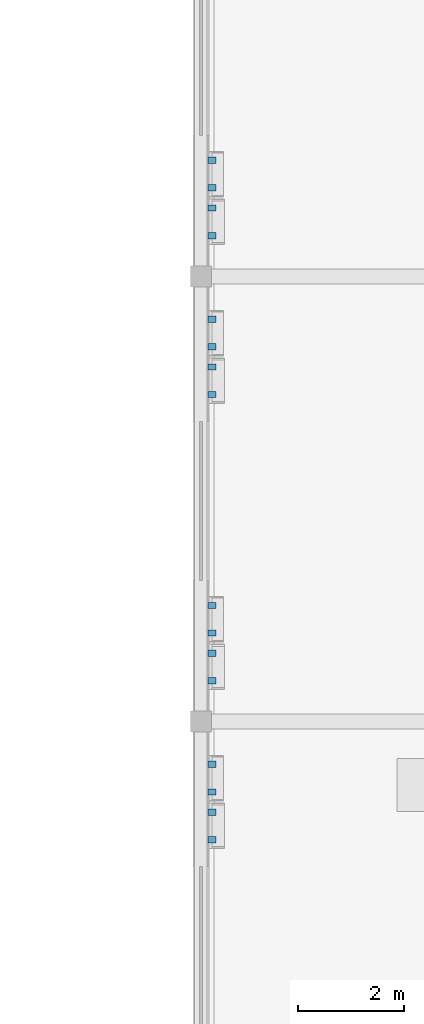
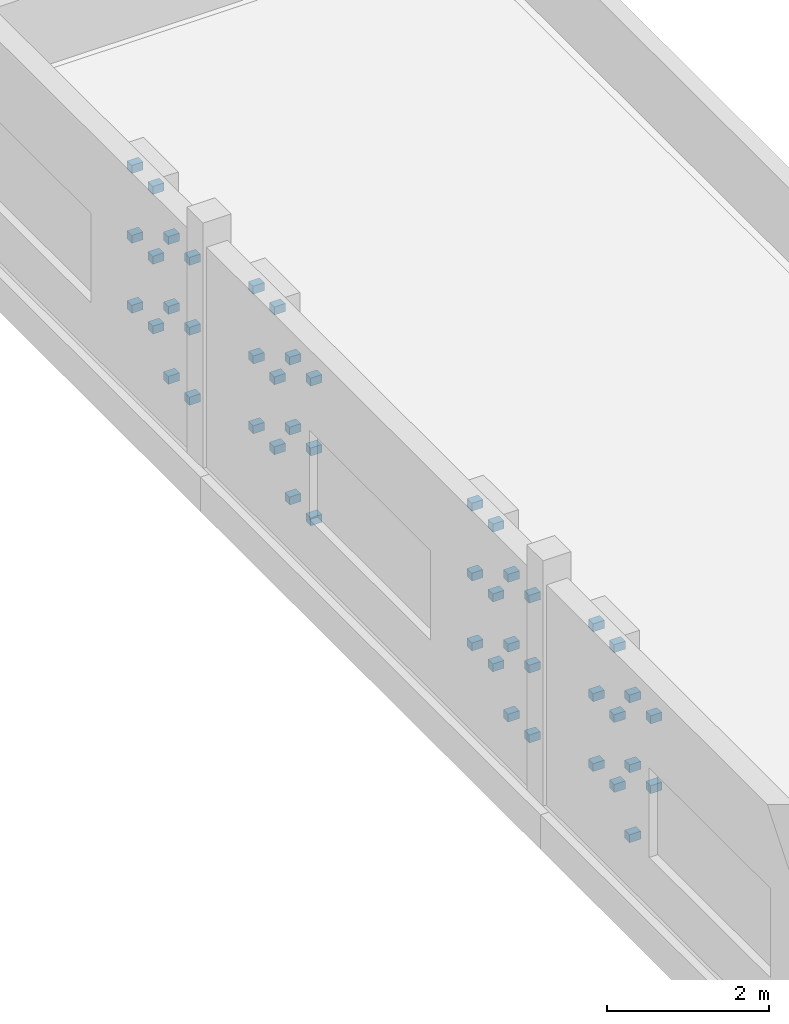
# One storey, part 49 of 57: 47 discrete accessories.
"""IFC4 building model written with IfcOpenShell, lengths in metres."""

import ifcopenshell
import ifcopenshell.guid

model = None  # the IFC model being written
_history = None  # IfcOwnerHistory: only IFC2X3 demands one
_inside = {}  # id of a spatial element -> (the spatial element, [elements in it])
_under = {}  # id of a project, library or spatial element -> (it, [spatial elements below it])
_declared = {}  # id of a project -> (the project, [libraries it declares])
_typed = {}  # id of a type object -> (the type object, [elements of that type])
_made_of = {}  # id of a material, layer set ... -> (it, [elements and type objects made of it])


def new_model(schema):
    """Start an empty IFC model of exactly this schema.

    Asked for "IFC4X3", IfcOpenShell would pick the latest addendum, in which some entities
    have other attributes; the version numbers below select the first issue.
    IFC2X3 requires an IfcOwnerHistory on every rooted entity: one is made here for all.
    """
    global model, _history
    if schema == "IFC4X3":
        model = ifcopenshell.file(schema_version=(4, 3, 0, 0))
    else:
        model = ifcopenshell.file(schema=schema)
    _inside.clear()
    _under.clear()
    _declared.clear()
    _typed.clear()
    _made_of.clear()
    _history = None
    if model.schema == "IFC2X3":
        org = make("IfcOrganization", Name="unknown")
        user = make(
            "IfcPersonAndOrganization",
            ThePerson=make("IfcPerson", FamilyName="unknown"),
            TheOrganization=org,
        )
        app = make(
            "IfcApplication",
            ApplicationDeveloper=org,
            Version="unknown",
            ApplicationFullName="unknown",
            ApplicationIdentifier="unknown",
        )
        _history = make(
            "IfcOwnerHistory",
            OwningUser=user,
            OwningApplication=app,
            ChangeAction="ADDED",
            CreationDate=0,
        )
    return model


def make(cls, **values):
    """One entity of the class cls with the attributes given. An attribute that is None is left unset."""
    return model.create_entity(
        cls, **{name: value for name, value in values.items() if value is not None}
    )


def rooted(cls, **values):
    """An entity with a GlobalId (a new one), such as an element, a storey or a relation."""
    return make(cls, GlobalId=ifcopenshell.guid.new(), OwnerHistory=_history, **values)


def si_unit(unit_type, name, prefix=None):
    """IfcSIUnit, for example si_unit("LENGTHUNIT", "METRE", prefix="MILLI")."""
    return make("IfcSIUnit", UnitType=unit_type, Prefix=prefix, Name=name)


def assignment(units):
    """IfcUnitAssignment: the units of a project."""
    return None if units is None else make("IfcUnitAssignment", Units=units)


def point(xyz):
    """IfcCartesianPoint."""
    return None if xyz is None else make("IfcCartesianPoint", Coordinates=xyz)


def direction(xyz):
    """IfcDirection."""
    return None if xyz is None else make("IfcDirection", DirectionRatios=xyz)


def frame(location, z_axis=None, x_axis=None):
    """IfcAxis2Placement3D, a coordinate frame: its origin and axes. An axis left out is left unset."""
    return make(
        "IfcAxis2Placement3D",
        Location=point(location),
        Axis=direction(z_axis),
        RefDirection=direction(x_axis),
    )


def frame_2d(location, x_axis=None):
    """IfcAxis2Placement2D, a coordinate frame in the plane: its origin and x axis."""
    return make(
        "IfcAxis2Placement2D", Location=point(location), RefDirection=direction(x_axis)
    )


def origin():
    """The frame at (0, 0, 0) with its axes left unset."""
    return frame((0.0, 0.0, 0.0))


def origin_2d():
    """The frame at (0, 0) in the plane with its x axis left unset."""
    return frame_2d((0.0, 0.0))


def place(relative_to, where):
    """IfcLocalPlacement: puts the frame where relative to a parent placement (None: the world)."""
    return make(
        "IfcLocalPlacement", PlacementRelTo=relative_to, RelativePlacement=where
    )


def context(
    kind, dimensions, precision=None, world=None, true_north=None, identifier=None
):
    """IfcGeometricRepresentationContext, for example the 3D "Model" context."""
    return make(
        "IfcGeometricRepresentationContext",
        ContextIdentifier=identifier,
        ContextType=kind,
        CoordinateSpaceDimension=dimensions,
        Precision=precision,
        WorldCoordinateSystem=world,
        TrueNorth=true_north,
    )


def subcontext(parent, identifier, kind, view, scale=None):
    """IfcGeometricRepresentationSubContext, for example "Body" below "Model"."""
    return make(
        "IfcGeometricRepresentationSubContext",
        ContextIdentifier=identifier,
        ContextType=kind,
        ParentContext=parent,
        TargetScale=scale,
        TargetView=view,
    )


def project(units=None, contexts=None):
    """IfcProject with its units and contexts."""
    return rooted(
        "IfcProject",
        Name="project",
        RepresentationContexts=contexts,
        UnitsInContext=assignment(units),
    )


def spatial(cls, under=None, at=None, **own):
    """A site, building, storey or space (cls), placed at a placement, below another one or the project."""
    s = rooted(cls, ObjectPlacement=at, **own)
    if under is not None:
        _under.setdefault(under.id(), (under, []))[1].append(s)
    return s


def profile(cls, at=None, kind="AREA", **sizes):
    """A parametric profile (cls). Its sizes go by their IFC names, for example OverallWidth=200.0."""
    return make(cls, ProfileType=kind, Position=at, **sizes)


def rectangle(**sizes):
    """IfcRectangleProfileDef."""
    return profile("IfcRectangleProfileDef", **sizes)


def extrude(swept, where, along, depth):
    """IfcExtrudedAreaSolid: the profile swept, set in the frame where, extruded along a direction by depth."""
    return make(
        "IfcExtrudedAreaSolid",
        SweptArea=swept,
        Position=where,
        ExtrudedDirection=direction(along),
        Depth=depth,
    )


def shape(context_of_items, identifier, shape_type, items):
    """IfcShapeRepresentation: the items that make up one representation, for example the "Body"."""
    return make(
        "IfcShapeRepresentation",
        ContextOfItems=context_of_items,
        RepresentationIdentifier=identifier,
        RepresentationType=shape_type,
        Items=items,
    )


def material(Name=None, Category=None):
    """IfcMaterial."""
    return make("IfcMaterial", Name=Name, Category=Category)


def made_of(thing, what):
    """Note that an element or type object is made of a material, layer set ...; save() writes the relation."""
    if what is not None:
        _made_of.setdefault(what.id(), (what, []))[1].append(thing)
    return thing


def type_object(cls, material=None, **own):
    """A type object (cls), such as IfcWallType, which elements share."""
    return made_of(rooted(cls, **own), material)


def element(
    cls,
    number,
    at=None,
    inside=None,
    cuts=None,
    type_object=None,
    material=None,
    context=None,
    identifier="Body",
    shape_type=None,
    held_by="IfcProductDefinitionShape",
    body=None,
    shapes=None,
    **own,
):
    """One element of the class cls, such as IfcWall. Its Tag is "e" and its number.

    at: its placement. inside: the storey or other place that contains it. cuts: it is an
    opening in that element (IfcRelVoidsElement). A single representation is given by context,
    identifier, shape_type and body (its items); several are given by shapes. held_by: the class
    of the entity that holds the representations. save() writes the other relations.
    """
    e = rooted(cls, Tag="e%d" % number, ObjectPlacement=at, **own)
    if body is not None:
        shapes = [shape(context, identifier, shape_type, body)]
    if shapes is not None:
        e.Representation = make(held_by, Representations=shapes)
    if inside is not None:
        _inside.setdefault(inside.id(), (inside, []))[1].append(e)
    if cuts is not None:
        rooted(
            "IfcRelVoidsElement", RelatingBuildingElement=cuts, RelatedOpeningElement=e
        )
    if type_object is not None:
        _typed.setdefault(type_object.id(), (type_object, []))[1].append(e)
    return made_of(e, material)


def aggregate(whole, parts):
    """IfcRelAggregates: a whole, such as a stair, and the parts it consists of."""
    return rooted("IfcRelAggregates", RelatingObject=whole, RelatedObjects=parts)


def save(model, path):
    """Write the relations noted so far, then the file.

    IfcRelAggregates (storeys below a building ...), IfcRelContainedInSpatialStructure (elements
    in a storey), IfcRelDefinesByType, IfcRelAssociatesMaterial and IfcRelDeclares: one each for
    every whole, place, type object, material and project.
    """
    for whole, parts in _under.values():
        aggregate(whole, parts)
    for where, things in _inside.values():
        rooted(
            "IfcRelContainedInSpatialStructure",
            RelatedElements=things,
            RelatingStructure=where,
        )
    for kind, things in _typed.values():
        rooted("IfcRelDefinesByType", RelatedObjects=things, RelatingType=kind)
    for what, things in _made_of.values():
        rooted("IfcRelAssociatesMaterial", RelatedObjects=things, RelatingMaterial=what)
    for by, libraries in _declared.values():
        rooted("IfcRelDeclares", RelatingContext=by, RelatedDefinitions=libraries)
    model.write(path)


model = new_model("IFC4")

# Units and contexts
model_context = context("Model", 3, precision=1e-05, world=origin(), true_north=direction((0.0, 1.0)))
body_context = subcontext(model_context, "Body", "Model", "MODEL_VIEW")
ifc_project = project(units=[si_unit("LENGTHUNIT", "METRE"), si_unit("AREAUNIT", "SQUARE_METRE"), si_unit("VOLUMEUNIT", "CUBIC_METRE"), si_unit("PLANEANGLEUNIT", "RADIAN"), si_unit("MASSUNIT", "GRAM", prefix="KILO")], contexts=[model_context])

# Site, building, storey
site_placement = place(None, origin())
site = spatial("IfcSite", under=ifc_project, at=site_placement, CompositionType="ELEMENT")
building_placement = place(site_placement, origin())
building = spatial("IfcBuilding", under=site, at=building_placement, Name="Kahlenmark Community Centre", CompositionType="ELEMENT")
storey_placement = place(building_placement, frame((0.0, 0.0, 13.800048828125)))
storey = spatial("IfcBuildingStorey", under=building, at=storey_placement, Name="L03", CompositionType="ELEMENT", Elevation=13.800048828125)

# Discrete accessories
ifc_material = material(Name="Stainless steel 1.4401 rainscreen bracket", Category="steel")
discrete_accessory_type = type_object("IfcDiscreteAccessoryType", Name="DAT-BRACKET-TC", PredefinedType="BRACKET", material=ifc_material)
for number, where, z_axis, x_axis, name in (
    (1, (29.409912109375, 57.489990234375, 0.283447265625), (0.0, 0.0, 1.0), (0.0, 1.0, 0.0), "Terracotta cassette bracket 4136.2"),
    (2, (29.409912109375, 56.969970703125, 1.33740234375), (0.0, 0.0, 1.0), (0.0, 1.0, 0.0), "Terracotta cassette bracket 4138.1"),
    (3, (29.409912109375, 57.489990234375, 1.33740234375), (0.0, 0.0, 1.0), (0.0, 1.0, 0.0), "Terracotta cassette bracket 4138.2"),
    (4, (29.409912109375, 56.969970703125, 2.391357421875), (0.0, 0.0, 1.0), (0.0, 1.0, 0.0), "Terracotta cassette bracket 4140.1"),
    (5, (29.409912109375, 57.489990234375, 2.391357421875), (0.0, 0.0, 1.0), (0.0, 1.0, 0.0), "Terracotta cassette bracket 4140.2"),
    (6, (29.409912109375, 57.8701171875, 0.810302734375), (0.0, 0.0, 1.0), (0.0, 1.0, 0.0), "Terracotta cassette bracket 4143.1"),
    (7, (29.409912109375, 58.389892578125, 0.810302734375), (0.0, 0.0, 1.0), (0.0, 1.0, 0.0), "Terracotta cassette bracket 4143.2"),
    (8, (29.409912109375, 57.8701171875, 1.864501953125), (0.0, 0.0, 1.0), (0.0, 1.0, 0.0), "Terracotta cassette bracket 4145.1"),
    (9, (29.409912109375, 58.389892578125, 1.864501953125), (0.0, 0.0, 1.0), (0.0, 1.0, 0.0), "Terracotta cassette bracket 4145.2"),
    (10, (29.409912109375, 57.8701171875, 2.91845703125), (0.0, 0.0, 1.0), (0.0, 1.0, 0.0), "Terracotta cassette bracket 4147.1"),
    (11, (29.409912109375, 58.389892578125, 2.91845703125), (0.0, 0.0, 1.0), (0.0, 1.0, 0.0), "Terracotta cassette bracket 4147.2"),
    (12, (29.409912109375, 59.969970703125, 0.283447265625), (0.0, 0.0, 1.0), (0.0, 1.0, 0.0), "Terracotta cassette bracket 4148.1"),
    (13, (29.409912109375, 60.489990234375, 0.283447265625), (0.0, 0.0, 1.0), (0.0, 1.0, 0.0), "Terracotta cassette bracket 4148.2"),
    (14, (29.409912109375, 59.969970703125, 1.33740234375), (0.0, 0.0, 1.0), (0.0, 1.0, 0.0), "Terracotta cassette bracket 4150.1"),
    (15, (29.409912109375, 60.489990234375, 1.33740234375), (0.0, 0.0, 1.0), (0.0, 1.0, 0.0), "Terracotta cassette bracket 4150.2"),
    (16, (29.409912109375, 59.969970703125, 2.391357421875), (0.0, 0.0, 1.0), (0.0, 1.0, 0.0), "Terracotta cassette bracket 4152.1"),
    (17, (29.409912109375, 60.489990234375, 2.391357421875), (0.0, 0.0, 1.0), (0.0, 1.0, 0.0), "Terracotta cassette bracket 4152.2"),
    (18, (29.409912109375, 60.8701171875, 0.810302734375), (0.0, 0.0, 1.0), (0.0, 1.0, 0.0), "Terracotta cassette bracket 4155.1"),
    (19, (29.409912109375, 61.389892578125, 0.810302734375), (0.0, 0.0, 1.0), (0.0, 1.0, 0.0), "Terracotta cassette bracket 4155.2"),
    (20, (29.409912109375, 60.8701171875, 1.864501953125), (0.0, 0.0, 1.0), (0.0, 1.0, 0.0), "Terracotta cassette bracket 4157.1"),
    (21, (29.409912109375, 61.389892578125, 1.864501953125), (0.0, 0.0, 1.0), (0.0, 1.0, 0.0), "Terracotta cassette bracket 4157.2"),
    (22, (29.409912109375, 60.8701171875, 2.91845703125), (0.0, 0.0, 1.0), (0.0, 1.0, 0.0), "Terracotta cassette bracket 4159.1"),
    (23, (29.409912109375, 61.389892578125, 2.91845703125), (0.0, 0.0, 1.0), (0.0, 1.0, 0.0), "Terracotta cassette bracket 4159.2"),
    (24, (29.409912109375, 65.3701171875, 0.283447265625), (0.0, 0.0, 1.0), (0.0, 1.0, 0.0), "Terracotta cassette bracket 4160.1"),
    (25, (29.409912109375, 65.889892578125, 0.283447265625), (0.0, 0.0, 1.0), (0.0, 1.0, 0.0), "Terracotta cassette bracket 4160.2"),
    (26, (29.409912109375, 65.3701171875, 1.33740234375), (0.0, 0.0, 1.0), (0.0, 1.0, 0.0), "Terracotta cassette bracket 4162.1"),
    (27, (29.409912109375, 65.889892578125, 1.33740234375), (0.0, 0.0, 1.0), (0.0, 1.0, 0.0), "Terracotta cassette bracket 4162.2"),
    (28, (29.409912109375, 65.3701171875, 2.391357421875), (0.0, 0.0, 1.0), (0.0, 1.0, 0.0), "Terracotta cassette bracket 4164.1"),
    (29, (29.409912109375, 65.889892578125, 2.391357421875), (0.0, 0.0, 1.0), (0.0, 1.0, 0.0), "Terracotta cassette bracket 4164.2"),
    (30, (29.409912109375, 66.27001953125, 0.810302734375), (0.0, 0.0, 1.0), (0.0, 1.0, 0.0), "Terracotta cassette bracket 4167.1"),
    (31, (29.409912109375, 66.7900390625, 0.810302734375), (0.0, 0.0, 1.0), (0.0, 1.0, 0.0), "Terracotta cassette bracket 4167.2"),
    (32, (29.409912109375, 66.27001953125, 1.864501953125), (0.0, 0.0, 1.0), (0.0, 1.0, 0.0), "Terracotta cassette bracket 4169.1"),
    (33, (29.409912109375, 66.7900390625, 1.864501953125), (0.0, 0.0, 1.0), (0.0, 1.0, 0.0), "Terracotta cassette bracket 4169.2"),
    (34, (29.409912109375, 66.27001953125, 2.91845703125), (0.0, 0.0, 1.0), (0.0, 1.0, 0.0), "Terracotta cassette bracket 4171.1"),
    (35, (29.409912109375, 66.7900390625, 2.91845703125), (0.0, 0.0, 1.0), (0.0, 1.0, 0.0), "Terracotta cassette bracket 4171.2"),
    (36, (29.409912109375, 68.3701171875, 0.283447265625), (0.0, 0.0, 1.0), (0.0, 1.0, 0.0), "Terracotta cassette bracket 4172.1"),
    (37, (29.409912109375, 68.889892578125, 0.283447265625), (0.0, 0.0, 1.0), (0.0, 1.0, 0.0), "Terracotta cassette bracket 4172.2"),
    (38, (29.409912109375, 68.3701171875, 1.33740234375), (0.0, 0.0, 1.0), (0.0, 1.0, 0.0), "Terracotta cassette bracket 4174.1"),
    (39, (29.409912109375, 68.889892578125, 1.33740234375), (0.0, 0.0, 1.0), (0.0, 1.0, 0.0), "Terracotta cassette bracket 4174.2"),
    (40, (29.409912109375, 68.3701171875, 2.391357421875), (0.0, 0.0, 1.0), (0.0, 1.0, 0.0), "Terracotta cassette bracket 4176.1"),
    (41, (29.409912109375, 68.889892578125, 2.391357421875), (0.0, 0.0, 1.0), (0.0, 1.0, 0.0), "Terracotta cassette bracket 4176.2"),
    (42, (29.409912109375, 69.27001953125, 0.810302734375), (0.0, 0.0, 1.0), (0.0, 1.0, 0.0), "Terracotta cassette bracket 4179.1"),
    (43, (29.409912109375, 69.7900390625, 0.810302734375), (0.0, 0.0, 1.0), (0.0, 1.0, 0.0), "Terracotta cassette bracket 4179.2"),
    (44, (29.409912109375, 69.27001953125, 1.864501953125), (0.0, 0.0, 1.0), (0.0, 1.0, 0.0), "Terracotta cassette bracket 4181.1"),
    (45, (29.409912109375, 69.7900390625, 1.864501953125), (0.0, 0.0, 1.0), (0.0, 1.0, 0.0), "Terracotta cassette bracket 4181.2"),
    (46, (29.409912109375, 69.27001953125, 2.91845703125), (0.0, 0.0, 1.0), (0.0, 1.0, 0.0), "Terracotta cassette bracket 4183.1"),
    (47, (29.409912109375, 69.7900390625, 2.91845703125), (0.0, 0.0, 1.0), (0.0, 1.0, 0.0), "Terracotta cassette bracket 4183.2"),
):
    element("IfcDiscreteAccessory", number, at=place(storey_placement, frame(where, z_axis=z_axis, x_axis=x_axis)), inside=storey, type_object=discrete_accessory_type, Name=name, PredefinedType="BRACKET", context=body_context, shape_type="SweptSolid", body=[
        extrude(rectangle(XDim=0.1201171875, YDim=0.159912109375, at=origin_2d()), origin(), (0.0, 0.0, 1.0), 0.1201171875),
    ])

save(model, "model.ifc")
